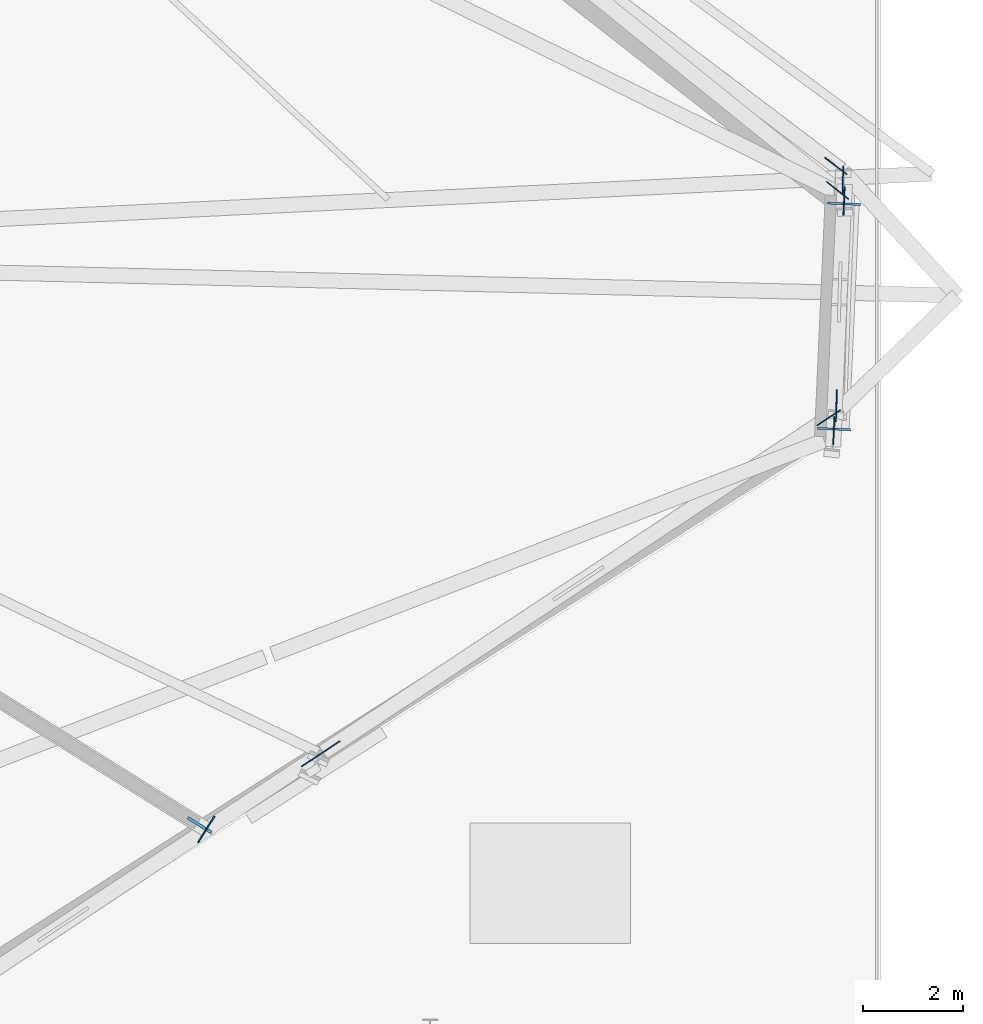
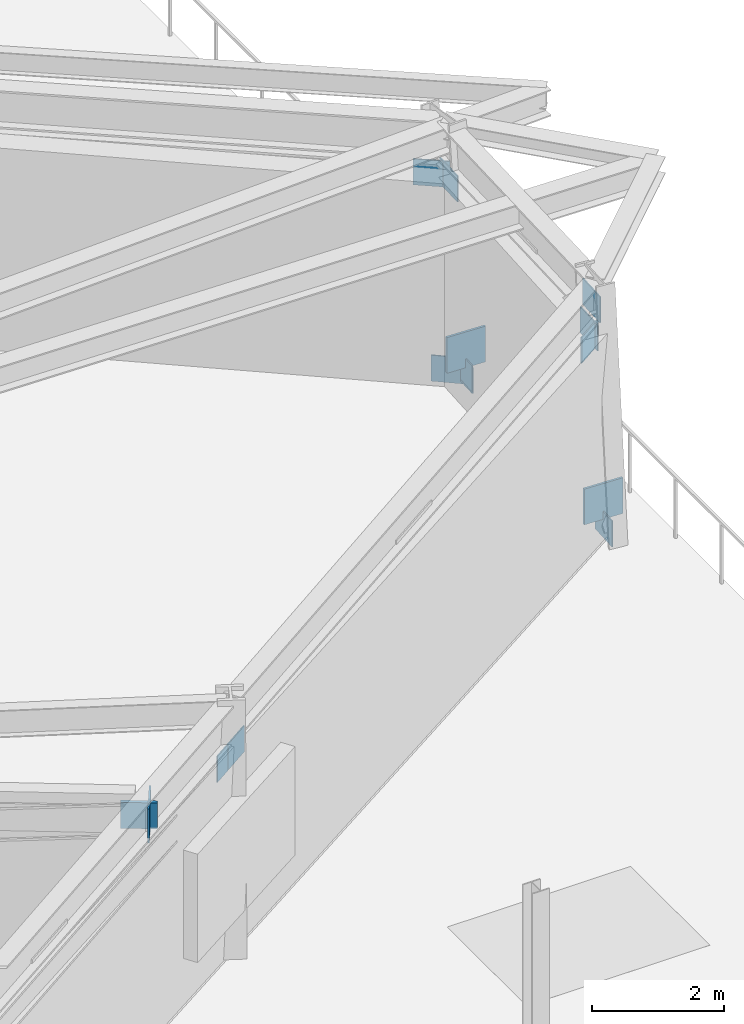
# One storey, part 11 of 20: 15 plates.
"""IFC4 building model written with IfcOpenShell, lengths in metres."""

from ifc_helpers import new_model, si_unit, direction, frame, origin, origin_2d, place, context, subcontext, project, spatial, rectangle, extrude, source, transform, mapped, material, type_object, element, save


model = new_model("IFC4")

# Units and contexts
model_context = context("Model", 3, precision=1e-05, world=origin(), true_north=direction((0.0, 1.0)))
body_context = subcontext(model_context, "Body", "Model", "MODEL_VIEW")
ifc_project = project(units=[si_unit("LENGTHUNIT", "METRE"), si_unit("AREAUNIT", "SQUARE_METRE"), si_unit("VOLUMEUNIT", "CUBIC_METRE"), si_unit("PLANEANGLEUNIT", "RADIAN"), si_unit("MASSUNIT", "GRAM", prefix="KILO")], contexts=[model_context])

# Site, building, storey
site_placement = place(None, origin())
site = spatial("IfcSite", under=ifc_project, at=site_placement, CompositionType="ELEMENT")
building_placement = place(site_placement, origin())
building = spatial("IfcBuilding", under=site, at=building_placement, Name="Olszyna Solenne Hotel", CompositionType="ELEMENT")
storey_placement = place(building_placement, frame((0.0, 0.0, 24.60009765625)))
storey = spatial("IfcBuildingStorey", under=building, at=storey_placement, Name="L05", CompositionType="ELEMENT", Elevation=24.60009765625)

# Plates
ifc_material_1 = material(Name="Steel S460M", Category="steel")
plate_type_1 = type_object("IfcPlateType", Name="GP-CAP2", PredefinedType="USERDEFINED", material=ifc_material_1)
shared_shape_1 = source(origin(), body_context, "Body", "SweptSolid", [
    extrude(rectangle(XDim=0.030029296875, YDim=0.6201171875, at=origin_2d()), origin(), (0.0, 0.0, 1.0), 0.6201171875),
])
plate_1_placement = place(storey_placement, frame((56.327392578125, 15.14794921875, 3.68994140625), z_axis=(0.0, 0.0, 1.0), x_axis=(0.848048096156, -0.529919264233, 0.0)))
element("IfcPlate", 1, at=plate_1_placement, inside=storey, type_object=plate_type_1, Name="Hollow section end-cap plate GP-CAP2 CP-OC-OC-L05-01-2", ObjectType="GUSSET_PLATE", PredefinedType="USERDEFINED", context=body_context, shape_type="MappedRepresentation", body=[
    mapped(shared_shape_1, transform((0.0, 0.0, 0.0), x_axis=(1.0, 0.0, 0.0), y_axis=(0.0, 1.0, 0.0), z_axis=(0.0, 0.0, 1.0), scale=1.0)),
])
ifc_material_2 = material(Name="Steel S355J2", Category="steel")
plate_type_2 = type_object("IfcPlateType", Name="GP-ND2", PredefinedType="USERDEFINED", material=ifc_material_2)
shared_shape_2 = source(origin(), body_context, "Body", "SweptSolid", [
    extrude(rectangle(XDim=0.56005859375, YDim=0.02001953125, at=origin_2d()), origin(), (0.0, 0.0, 1.0), 0.47998046875),
])
for number, where, z_axis, x_axis, name in (
    (2, (69.06884765625, 27.70068359375, -0.134521484375), (0.0, 0.0, 1.0), (-0.037166950783, -0.999309070193, 0.0), "Brace end connection gusset plate GP-ND2 EP-BR-L05-1-1"),
    (3, (68.914794921875, 23.572021484375, 3.729248046875), (0.0, 0.0, 1.0), (-0.037166950783, -0.999309070193, 0.0), "Brace end connection gusset plate GP-ND2 EP-BR-L05-1-2"),
    (4, (68.916259765625, 23.649658203125, 3.159912109375), (0.0, 0.0, 1.0), (0.028793952368, 0.999585368194, 0.0), "Brace end connection gusset plate GP-ND2 EP-CH-L05-01-1"),
    (5, (69.044677734375, 28.11083984375, 3.159912109375), (0.0, 0.0, 1.0), (0.028793952368, 0.999585368194, 0.0), "Brace end connection gusset plate GP-ND2 EP-CH-L05-01-2"),
    (6, (68.86376953125, 23.114990234375, -0.11328125), (0.0, 0.0, 1.0), (0.042224410831, 0.999108151868, 0.0), "Brace end connection gusset plate GP-ND2 EP-BT-L05-01-1-1"),
    (7, (69.0673828125, 27.69482421875, -0.097900390625), (0.0, 0.0, 1.0), (-0.047978128521, -0.998848386485, 0.0), "Brace end connection gusset plate GP-ND2 EP-BT-L05-01-2-1"),
    (8, (68.90625, 28.3994140625, 3.159912109375), (0.0, 0.0, 1.0), (-0.797689196331, 0.603068773902, 0.0), "Brace end connection gusset plate GP-ND2 EP-CH-L05-02-1"),
    (9, (68.935791015625, 27.912109375, -0.18310546875), (0.0, 0.0, 1.0), (-0.778900323063, 0.62714773916, 0.0), "Brace end connection gusset plate GP-ND2 EP-BT-L05-02-1-1"),
    (10, (58.464599609375, 16.556884765625, 3.159912109375), (0.0, 0.0, 1.0), (0.833885822067, 0.551936985312, 0.0), "Brace end connection gusset plate GP-ND2 EP-CH-L05-11-2"),
    (11, (58.76513671875, 16.755615234375, 3.159912109375), (0.0, 0.0, 1.0), (0.833982140542, 0.551791436375, 0.0), "Brace end connection gusset plate GP-ND2 EP-CH-L05-12-1"),
    (12, (68.760986328125, 23.370361328125, 3.159912109375), (0.0, 0.0, 1.0), (0.833982140542, 0.551791436375, 0.0), "Brace end connection gusset plate GP-ND2 EP-CH-L05-12-2"),
):
    element("IfcPlate", number, at=place(storey_placement, frame(where, z_axis=z_axis, x_axis=x_axis)), inside=storey, type_object=plate_type_2, Name=name, ObjectType="GUSSET_PLATE", PredefinedType="USERDEFINED", context=body_context, shape_type="MappedRepresentation", body=[
        mapped(shared_shape_2, transform((0.0, 0.0, 0.0), x_axis=(1.0, 0.0, 0.0), y_axis=(0.0, 1.0, 0.0), z_axis=(0.0, 0.0, 1.0), scale=1.0)),
    ])
plate_type_3 = type_object("IfcPlateType", Name="GP-ND1", PredefinedType="USERDEFINED", material=ifc_material_1)
shared_shape_3 = source(origin(), body_context, "Body", "SweptSolid", [
    extrude(rectangle(XDim=0.56005859375, YDim=0.06005859375, at=origin_2d()), origin(), (0.0, 0.0, 1.0), 0.47998046875),
])
plate_2_placement = place(storey_placement, frame((56.196044921875, 15.229736328125, 3.751220703125), z_axis=(0.0, 0.0, 1.0), x_axis=(0.848048096156, -0.529919264233, 0.0)))
element("IfcPlate", 13, at=plate_2_placement, inside=storey, type_object=plate_type_3, Name="Brace end connection gusset plate GP-ND1 EP-OU-L05-01-2", ObjectType="GUSSET_PLATE", PredefinedType="USERDEFINED", context=body_context, shape_type="MappedRepresentation", body=[
    mapped(shared_shape_3, transform((0.0, 0.0, 0.0), x_axis=(1.0, 0.0, 0.0), y_axis=(0.0, 1.0, 0.0), z_axis=(0.0, 0.0, 1.0), scale=1.0)),
])
plate_type_4 = type_object("IfcPlateType", Name="GP-CAP1", PredefinedType="USERDEFINED", material=ifc_material_1)
shared_shape_4 = source(origin(), body_context, "Body", "SweptSolid", [
    extrude(rectangle(XDim=0.0400390625, YDim=0.659912109375, at=origin_2d()), origin(), (0.0, 0.0, 1.0), 0.659912109375),
])
for number, where, z_axis, x_axis, name in (
    (14, (68.865234375, 23.144287109375, 0.2197265625), (0.0, 0.0, 1.0), (0.044491204688, 0.999009776081, 0.0), "Hollow section end-cap plate GP-CAP1 CP-CTB-CTB-L05-1-1"),
    (15, (69.0654296875, 27.64306640625, 0.2197265625), (0.0, 0.0, 1.0), (0.044491204688, 0.999009776081, 0.0), "Hollow section end-cap plate GP-CAP1 CP-CTB-CTB-L05-1-2"),
):
    element("IfcPlate", number, at=place(storey_placement, frame(where, z_axis=z_axis, x_axis=x_axis)), inside=storey, type_object=plate_type_4, Name=name, ObjectType="GUSSET_PLATE", PredefinedType="USERDEFINED", context=body_context, shape_type="MappedRepresentation", body=[
        mapped(shared_shape_4, transform((0.0, 0.0, 0.0), x_axis=(1.0, 0.0, 0.0), y_axis=(0.0, 1.0, 0.0), z_axis=(0.0, 0.0, 1.0), scale=1.0)),
    ])

save(model, "model.ifc")
